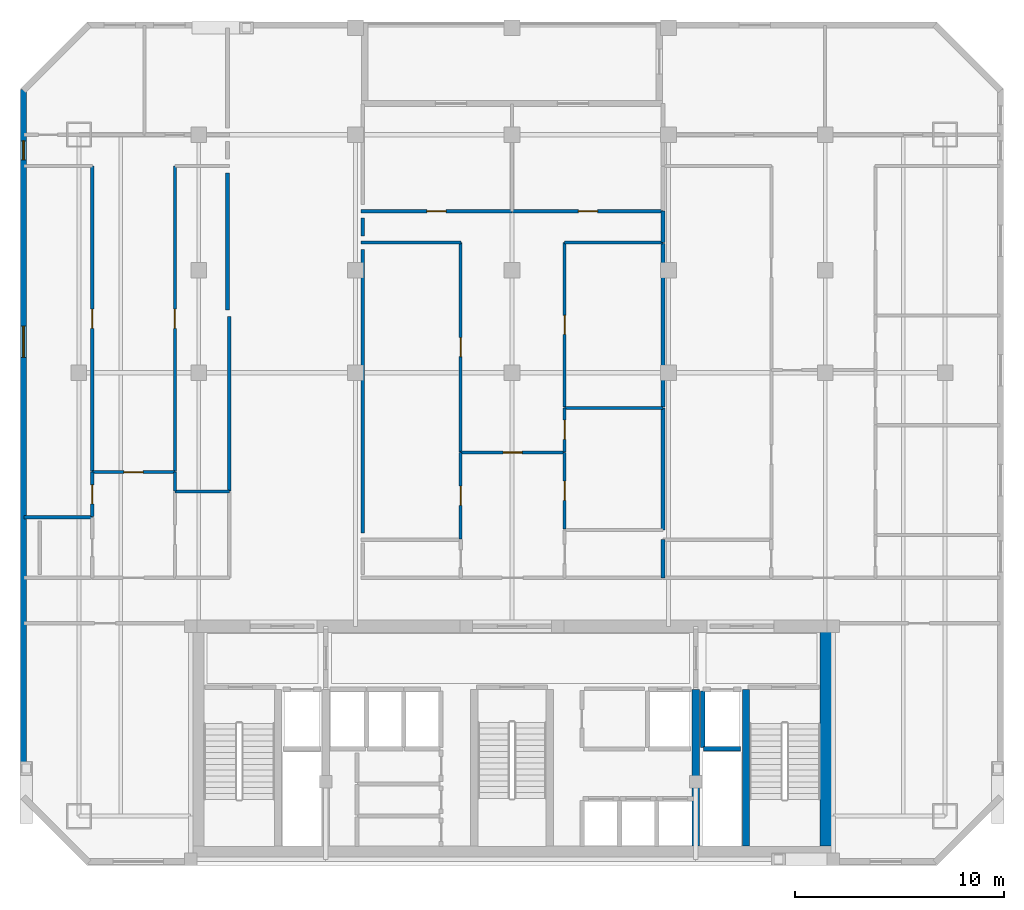
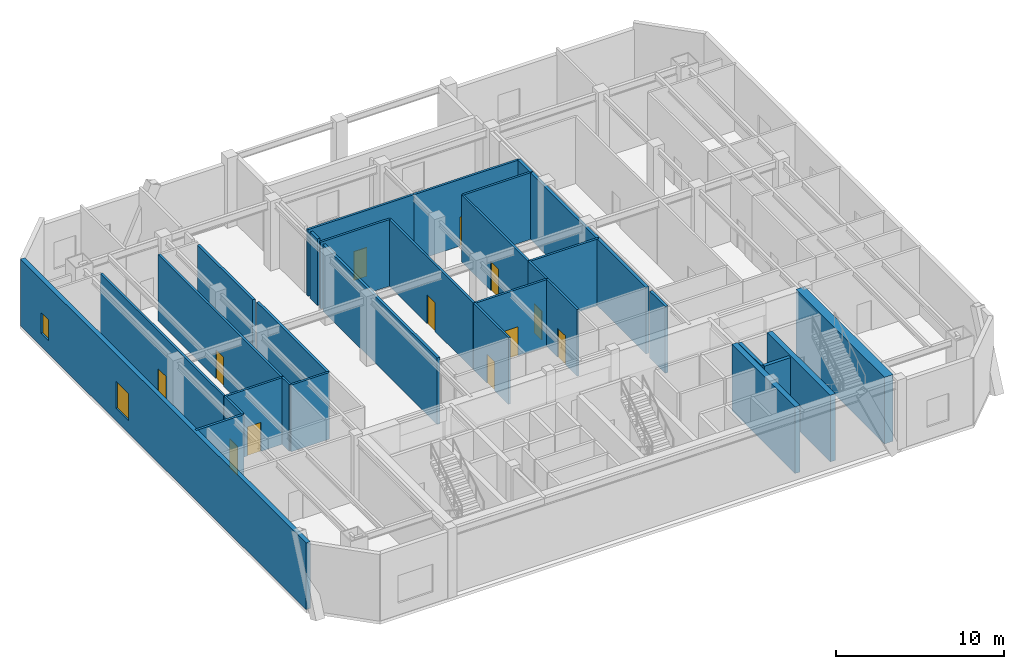
# One storey, part 4 of 8: 32 walls, 12 doors, 2 windows, 14 openings.
"""IFC4 building model written with IfcOpenShell, lengths in metres."""

from ifc_helpers import new_model, si_unit, direction, frame, frame_2d, origin, place, context, subcontext, project, spatial, rectangle, extrude, material, layer, layer_set, type_object, element, fill, save


model = new_model("IFC4")

# Units and contexts
model_context = context("Model", 3, precision=1e-05, world=origin(), true_north=direction((0.0, 1.0)))
body_context = subcontext(model_context, "Body", "Model", "MODEL_VIEW")
ifc_project = project(units=[si_unit("LENGTHUNIT", "METRE"), si_unit("AREAUNIT", "SQUARE_METRE"), si_unit("VOLUMEUNIT", "CUBIC_METRE"), si_unit("PLANEANGLEUNIT", "RADIAN"), si_unit("MASSUNIT", "GRAM", prefix="KILO")], contexts=[model_context])

# Site, building, storey
site_placement = place(None, origin())
site = spatial("IfcSite", under=ifc_project, at=site_placement, CompositionType="ELEMENT")
building_placement = place(site_placement, origin())
building = spatial("IfcBuilding", under=site, at=building_placement, Name="Ventersveld Concourse Tower", CompositionType="ELEMENT")
storey_placement = place(building_placement, frame((0.0, 0.0, 187.550048828125)))
storey = spatial("IfcBuildingStorey", under=building, at=storey_placement, Name="L46", CompositionType="ELEMENT", Elevation=187.550048828125)

# Walls
ifc_material_1 = material(Name="Concrete C50/60", Category="concrete")
ifc_layer_1 = layer(ifc_material_1, 0.35009765625)
ifc_layer_set_1 = layer_set([ifc_layer_1], Name="Concrete C50/60")
wall_type_1 = type_object("IfcWallType", Name="WL-CORE-350U", PredefinedType="SHEAR", material=ifc_layer_set_1)
for number, where, z_axis, x_axis, name in (
    (1, (37.550048828125, 0.919921875, 0.0), (0.0, 0.0, 1.0), (0.0, 1.0, 0.0), "L46 Core Internal Shear Web W-SVL-W"),
    (2, (39.9599609375, 0.919921875, 0.0), (0.0, 0.0, 1.0), (0.0, 1.0, 0.0), "L46 Core Internal Shear Web W-ST2-W"),
):
    element("IfcWall", number, at=place(storey_placement, frame(where, z_axis=z_axis, x_axis=x_axis)), inside=storey, type_object=wall_type_1, Name=name, PredefinedType="SHEAR", context=body_context, shape_type="SweptSolid", body=[
        extrude(rectangle(XDim=7.5, YDim=0.35009765625, at=frame_2d((3.75, 0.0))), origin(), (0.0, 0.0, 1.0), 4.829833984375),
    ])
ifc_layer_2 = layer(ifc_material_1, 0.60009765625)
ifc_layer_set_2 = layer_set([ifc_layer_2], Name="Concrete C50/60")
wall_type_2 = type_object("IfcWallType", Name="WL-CORE-600", PredefinedType="SHEAR", material=ifc_layer_set_2)
wall_1_placement = place(storey_placement, frame((43.800048828125, 0.919921875, 0.0), z_axis=(0.0, 0.0, 1.0), x_axis=(0.0, 1.0, 0.0)))
element("IfcWall", 3, at=wall_1_placement, inside=storey, type_object=wall_type_2, Name="L46 Rear Core East Shear Wall", PredefinedType="SHEAR", context=body_context, shape_type="SweptSolid", body=[
    extrude(rectangle(XDim=10.530029296875, YDim=0.60009765625, at=frame_2d((5.26513671875, 0.0))), origin(), (0.0, 0.0, 1.0), 4.829833984375),
])
ifc_material_2 = material(Name="Fire-rated autoclaved aerated masonry blockwork", Category="masonry")
ifc_layer_3 = layer(ifc_material_2, 0.179931640625)
ifc_layer_set_3 = layer_set([ifc_layer_3], Name="Fire-rated autoclaved aerated masonry blockwork")
wall_type_3 = type_object("IfcWallType", Name="WL-CORR-180", PredefinedType="PARTITIONING", material=ifc_layer_set_3)
wall_2_placement = place(storey_placement, frame((15.2099609375, 17.935546875, 0.0), z_axis=(0.0, 0.0, 1.0), x_axis=(0.0, 1.0, 0.0)))
element("IfcWall", 4, at=wall_2_placement, inside=storey, type_object=wall_type_3, Name="L46 Interior Partition SP-L46-COR-SP-L46-46NW-MEDR1", PredefinedType="PARTITIONING", context=body_context, shape_type="SweptSolid", body=[
    extrude(rectangle(XDim=8.359375, YDim=0.179931640625, at=frame_2d((4.1796875, 0.0))), origin(), (0.0, 0.0, 1.0), 4.829833984375),
])
wall_3_placement = place(storey_placement, frame((15.1201171875, 33.175048828125, 0.0), z_axis=(0.0, 0.0, 1.0), x_axis=(0.0, -1.0, 0.0)))
element("IfcWall", 5, at=wall_3_placement, inside=storey, type_object=wall_type_3, Name="L46 Room Enclosure Wall SP-L46-46NW-MEDR1", PredefinedType="PARTITIONING", context=body_context, shape_type="SweptSolid", body=[
    extrude(rectangle(XDim=6.565185546875, YDim=0.179931640625, at=frame_2d((3.28271484375, 0.0))), origin(), (0.0, 0.0, 1.0), 4.829833984375),
])
wall_4_placement = place(storey_placement, frame((21.60009765625, 30.155029296875, 0.0), z_axis=(0.0, 0.0, 1.0), x_axis=(0.0, 1.0, 0.0)))
element("IfcWall", 6, at=wall_4_placement, inside=storey, type_object=wall_type_3, Name="L46 Room Enclosure Wall SP-L46-46CM-LIV", PredefinedType="PARTITIONING", context=body_context, shape_type="SweptSolid", body=[
    extrude(rectangle(XDim=0.849853515625, YDim=0.179931640625, at=frame_2d((0.4248046875, 0.0))), origin(), (0.0, 0.0, 1.0), 4.829833984375),
])
wall_5_placement = place(storey_placement, frame((21.60009765625, 15.925048828125, 0.0), z_axis=(0.0, 0.0, 1.0), x_axis=(0.0, 1.0, 0.0)))
element("IfcWall", 7, at=wall_5_placement, inside=storey, type_object=wall_type_3, Name="L46 Room Enclosure Wall SP-L46-46CM-MEDL0", PredefinedType="PARTITIONING", context=body_context, shape_type="SweptSolid", body=[
    extrude(rectangle(XDim=13.579833984375, YDim=0.179931640625, at=frame_2d((6.7900390625, 0.0))), origin(), (0.0, 0.0, 1.0), 4.829833984375),
])
ifc_layer_4 = layer(ifc_material_2, 0.199951171875)
ifc_layer_set_4 = layer_set([ifc_layer_4], Name="Fire-rated autoclaved aerated masonry blockwork")
wall_type_4 = type_object("IfcWallType", Name="WL-DEMISE-200", PredefinedType="PARTITIONING", material=ifc_layer_set_4)
wall_6_placement = place(storey_placement, frame((35.989990234375, 13.764892578125, 0.0), z_axis=(0.0, 0.0, 1.0), x_axis=(0.0, 1.0, 0.0)))
element("IfcWall", 8, at=wall_6_placement, inside=storey, type_object=wall_type_4, Name="L46 Interior Partition SP-L46-46CE-BATH-SP-L46-46CM-KIT", PredefinedType="PARTITIONING", context=body_context, shape_type="SweptSolid", body=[
    extrude(rectangle(XDim=1.840087890625, YDim=0.199951171875, at=frame_2d((0.919921875, 0.0))), origin(), (0.0, 0.0, 1.0), 4.829833984375),
])
wall_7_placement = place(storey_placement, frame((35.989990234375, 29.824951171875, 0.0), z_axis=(0.0, 0.0, 1.0), x_axis=(0.0, 1.0, 0.0)))
element("IfcWall", 9, at=wall_7_placement, inside=storey, type_object=wall_type_4, Name="L46 Interior Partition SP-L46-46CE-OFFL0-SP-L46-46CM-LIV", PredefinedType="PARTITIONING", context=body_context, shape_type="SweptSolid", body=[
    extrude(rectangle(XDim=1.510009765625, YDim=0.199951171875, at=frame_2d((0.7548828125, 0.0))), origin(), (0.0, 0.0, 1.0), 4.829833984375),
])
wall_8_placement = place(storey_placement, frame((35.989990234375, 16.059326171875, 0.0), z_axis=(0.0, 0.0, 1.0), x_axis=(0.0, 1.0, 0.0)))
element("IfcWall", 10, at=wall_8_placement, inside=storey, type_object=wall_type_4, Name="L46 Interior Partition SP-L46-46CE-OFFL0-SP-L46-46CM-DENR", PredefinedType="PARTITIONING", context=body_context, shape_type="SweptSolid", body=[
    extrude(rectangle(XDim=5.85546875, YDim=0.199951171875, at=frame_2d((2.927734375, 0.0))), origin(), (0.0, 0.0, 1.0), 4.829833984375),
])
wall_9_placement = place(storey_placement, frame((35.989990234375, 21.94482421875, 0.0), z_axis=(0.0, 0.0, 1.0), x_axis=(0.0, 1.0, 0.0)))
element("IfcWall", 11, at=wall_9_placement, inside=storey, type_object=wall_type_4, Name="L46 Interior Partition SP-L46-46CE-OFFL0-SP-L46-46CM-DENS", PredefinedType="PARTITIONING", context=body_context, shape_type="SweptSolid", body=[
    extrude(rectangle(XDim=7.85009765625, YDim=0.199951171875, at=frame_2d((3.925048828125, 0.0))), origin(), (0.0, 0.0, 1.0), 4.829833984375),
])
ifc_layer_5 = layer(ifc_material_2, 0.219970703125)
ifc_layer_set_5 = layer_set([ifc_layer_5], Name="Fire-rated autoclaved aerated masonry blockwork")
wall_type_5 = type_object("IfcWallType", Name="WL-HOIST-220", PredefinedType="SOLIDWALL", material=ifc_layer_set_5)
wall_10_placement = place(storey_placement, frame((37.919921875, 5.590087890625, 0.0), z_axis=(0.0, 0.0, 1.0), x_axis=(1.0, 0.0, 0.0)))
element("IfcWall", 12, at=wall_10_placement, inside=storey, type_object=wall_type_5, Name="L46 Lift Hoistway Back Wall FFL-02", PredefinedType="SOLIDWALL", context=body_context, shape_type="SweptSolid", body=[
    extrude(rectangle(XDim=1.780029296875, YDim=0.219970703125, at=frame_2d((0.89013671875, 0.0))), origin(), (0.0, 0.0, 1.0), 4.829833984375),
])
wall_11_placement = place(storey_placement, frame((37.8798828125, 5.64990234375, 0.0), z_axis=(0.0, 0.0, 1.0), x_axis=(0.0, 1.0, 0.0)))
element("IfcWall", 13, at=wall_11_placement, inside=storey, type_object=wall_type_5, Name="L46 Lift Hoistway Side Wall FFL-02W", PredefinedType="SOLIDWALL", context=body_context, shape_type="SweptSolid", body=[
    extrude(rectangle(XDim=2.7001953125, YDim=0.219970703125, at=frame_2d((1.35009765625, 0.0))), origin(), (0.0, 0.0, 1.0), 4.829833984375),
])

# Wall, opening, door
ifc_material_3 = material(Name="Autoclaved aerated masonry blockwork", Category="masonry")
ifc_layer_6 = layer(ifc_material_3, 0.14990234375)
ifc_layer_set_6 = layer_set([ifc_layer_6], Name="Autoclaved aerated masonry blockwork")
wall_type_6 = type_object("IfcWallType", Name="WL-INT-150", PredefinedType="PARTITIONING", material=ifc_layer_set_6)
wall_12_placement = place(storey_placement, frame((8.635009765625, 18.83349609375, 0.0), z_axis=(0.0, 0.0, 1.0), x_axis=(1.0, 0.0, 0.0)))
wall_12 = element("IfcWall", 14, at=wall_12_placement, inside=storey, type_object=wall_type_6, Name="L46 Interior Partition SP-L46-46NW-FOY-SP-L46-46NW-LIV", PredefinedType="PARTITIONING", context=body_context, shape_type="SweptSolid", body=[
    extrude(rectangle(XDim=3.969970703125, YDim=0.14990234375, at=frame_2d((1.98486328125, 0.0))), origin(), (0.0, 0.0, 1.0), 4.829833984375),
])
opening_1_placement = place(wall_12_placement, frame((1.52490234375, 0.0, 0.0)))
opening_1 = element("IfcOpeningElement", 15, at=opening_1_placement, cuts=wall_12, Name="Opening ID1", PredefinedType="OPENING", context=body_context, shape_type="SweptSolid", body=[
    extrude(rectangle(XDim=0.919921875, YDim=2.10009765625, at=frame_2d((0.4599609375, 1.050048828125))), frame((0.0, 0.0849609375, 0.0), z_axis=(0.0, -1.0, 0.0), x_axis=(1.0, 0.0, 0.0)), (0.0, 0.0, 1.0), 0.169921875),
])
ifc_material_4 = material(Name="Solid-core hardwood veneer timber", Category="wood")
door_type = type_object("IfcDoorType", Name="DR-ROOM-092", OperationType="NOTDEFINED", PredefinedType="DOOR", material=ifc_material_4)
door_1_placement = place(opening_1_placement, origin())
door_1 = element("IfcDoor", 16, at=door_1_placement, inside=storey, type_object=door_type, Name="L46 Interior Door SP-L46-46NW-FOY to SP-L46-46NW-LIV (D-L46-2258)", OperationType="SINGLE_SWING_RIGHT", OverallHeight=2.10009765625, OverallWidth=0.919921875, PredefinedType="DOOR", context=body_context, shape_type="SweptSolid", body=[
    extrude(rectangle(XDim=0.919921875, YDim=2.10009765625, at=frame_2d((0.4599609375, 1.050048828125))), frame((0.0, 0.02490234375, 0.0), z_axis=(0.0, -1.0, 0.0), x_axis=(1.0, 0.0, 0.0)), (0.0, 0.0, 1.0), 0.050048828125),
])
fill(opening_1, door_1)

wall_13_placement = place(storey_placement, frame((8.639892578125, 16.700927734375, 0.0), z_axis=(0.0, 0.0, 1.0), x_axis=(0.0, 1.0, 0.0)))
wall_13 = element("IfcWall", 17, at=wall_13_placement, inside=storey, type_object=wall_type_6, Name="L46 Interior Partition SP-L46-46NW-FOY-SP-L46-46NW-OFFL0", PredefinedType="PARTITIONING", context=body_context, shape_type="SweptSolid", body=[
    extrude(rectangle(XDim=2.137451171875, YDim=0.14990234375, at=frame_2d((1.06884765625, 0.0))), origin(), (0.0, 0.0, 1.0), 4.829833984375),
])
opening_2_placement = place(wall_13_placement, frame((0.608642578125, 0.0, 0.0)))
opening_2 = element("IfcOpeningElement", 18, at=opening_2_placement, cuts=wall_13, Name="Opening ID1", PredefinedType="OPENING", context=body_context, shape_type="SweptSolid", body=[
    extrude(rectangle(XDim=0.919921875, YDim=2.10009765625, at=frame_2d((0.4599609375, 1.050048828125))), frame((0.0, 0.0849609375, 0.0), z_axis=(0.0, -1.0, 0.0), x_axis=(1.0, 0.0, 0.0)), (0.0, 0.0, 1.0), 0.169921875),
])
door_2_placement = place(opening_2_placement, origin())
door_2 = element("IfcDoor", 19, at=door_2_placement, inside=storey, type_object=door_type, Name="L46 Interior Door SP-L46-46NW-FOY to SP-L46-46NW-OFFL0 (D-L46-2260)", OperationType="SINGLE_SWING_RIGHT", OverallHeight=2.10009765625, OverallWidth=0.919921875, PredefinedType="DOOR", context=body_context, shape_type="SweptSolid", body=[
    extrude(rectangle(XDim=0.919921875, YDim=2.10009765625, at=frame_2d((0.4599609375, 1.050048828125))), frame((0.0, 0.02490234375, 0.0), z_axis=(0.0, -1.0, 0.0), x_axis=(1.0, 0.0, 0.0)), (0.0, 0.0, 1.0), 0.050048828125),
])
fill(opening_2, door_2)

# Wall
wall_14_placement = place(storey_placement, frame((12.60009765625, 17.935546875, 0.0), z_axis=(0.0, 0.0, 1.0), x_axis=(0.0, 1.0, 0.0)))
element("IfcWall", 20, at=wall_14_placement, inside=storey, type_object=wall_type_6, Name="L46 Interior Partition SP-L46-46NW-FOY-SP-L46-46NW-MEDR1", PredefinedType="PARTITIONING", context=body_context, shape_type="SweptSolid", body=[
    extrude(rectangle(XDim=0.90283203125, YDim=0.14990234375, at=frame_2d((0.451416015625, 0.0))), origin(), (0.0, 0.0, 1.0), 4.829833984375),
])

# Wall, opening, door
wall_15_placement = place(storey_placement, frame((8.639892578125, 18.868408203125, 0.0), z_axis=(0.0, 0.0, 1.0), x_axis=(0.0, 1.0, 0.0)))
wall_15 = element("IfcWall", 21, at=wall_15_placement, inside=storey, type_object=wall_type_6, Name="L46 Interior Partition SP-L46-46NW-LIV-SP-L46-46NW-OFFL0", PredefinedType="PARTITIONING", context=body_context, shape_type="SweptSolid", body=[
    extrude(rectangle(XDim=14.636474609375, YDim=0.14990234375, at=frame_2d((7.318359375, 0.0))), origin(), (0.0, 0.0, 1.0), 4.829833984375),
])
opening_3_placement = place(wall_15_placement, frame((6.8583984375, 0.0, 0.0)))
opening_3 = element("IfcOpeningElement", 22, at=opening_3_placement, cuts=wall_15, Name="Opening ID1", PredefinedType="OPENING", context=body_context, shape_type="SweptSolid", body=[
    extrude(rectangle(XDim=0.919921875, YDim=2.10009765625, at=frame_2d((0.4599609375, 1.050048828125))), frame((0.0, 0.0849609375, 0.0), z_axis=(0.0, -1.0, 0.0), x_axis=(1.0, 0.0, 0.0)), (0.0, 0.0, 1.0), 0.169921875),
])
door_3_placement = place(opening_3_placement, origin())
door_3 = element("IfcDoor", 23, at=door_3_placement, inside=storey, type_object=door_type, Name="L46 Interior Door SP-L46-46NW-LIV to SP-L46-46NW-OFFL0 (D-L46-2262)", OperationType="SINGLE_SWING_RIGHT", OverallHeight=2.10009765625, OverallWidth=0.919921875, PredefinedType="DOOR", context=body_context, shape_type="SweptSolid", body=[
    extrude(rectangle(XDim=0.919921875, YDim=2.10009765625, at=frame_2d((0.4599609375, 1.050048828125))), frame((0.0, 0.02490234375, 0.0), z_axis=(0.0, -1.0, 0.0), x_axis=(1.0, 0.0, 0.0)), (0.0, 0.0, 1.0), 0.050048828125),
])
fill(opening_3, door_3)

wall_16_placement = place(storey_placement, frame((12.60009765625, 18.868408203125, 0.0), z_axis=(0.0, 0.0, 1.0), x_axis=(0.0, 1.0, 0.0)))
wall_16 = element("IfcWall", 24, at=wall_16_placement, inside=storey, type_object=wall_type_6, Name="L46 Interior Partition SP-L46-46NW-LIV-SP-L46-46NW-MEDR1", PredefinedType="PARTITIONING", context=body_context, shape_type="SweptSolid", body=[
    extrude(rectangle(XDim=14.636474609375, YDim=0.14990234375, at=frame_2d((7.318359375, 0.0))), origin(), (0.0, 0.0, 1.0), 4.829833984375),
])
opening_4_placement = place(wall_16_placement, frame((6.8583984375, 0.0, 0.0)))
opening_4 = element("IfcOpeningElement", 25, at=opening_4_placement, cuts=wall_16, Name="Opening ID1", PredefinedType="OPENING", context=body_context, shape_type="SweptSolid", body=[
    extrude(rectangle(XDim=0.919921875, YDim=2.10009765625, at=frame_2d((0.4599609375, 1.050048828125))), frame((0.0, 0.0849609375, 0.0), z_axis=(0.0, -1.0, 0.0), x_axis=(1.0, 0.0, 0.0)), (0.0, 0.0, 1.0), 0.169921875),
])
door_4_placement = place(opening_4_placement, origin())
door_4 = element("IfcDoor", 26, at=door_4_placement, inside=storey, type_object=door_type, Name="L46 Interior Door SP-L46-46NW-LIV to SP-L46-46NW-MEDR1 (D-L46-2263)", OperationType="SINGLE_SWING_LEFT", OverallHeight=2.10009765625, OverallWidth=0.919921875, PredefinedType="DOOR", context=body_context, shape_type="SweptSolid", body=[
    extrude(rectangle(XDim=0.919921875, YDim=2.10009765625, at=frame_2d((0.4599609375, 1.050048828125))), frame((0.0, 0.02490234375, 0.0), z_axis=(0.0, -1.0, 0.0), x_axis=(1.0, 0.0, 0.0)), (0.0, 0.0, 1.0), 0.050048828125),
])
fill(opening_4, door_4)

# Wall
wall_17_placement = place(storey_placement, frame((12.594970703125, 17.900634765625, 0.0), z_axis=(0.0, 0.0, 1.0), x_axis=(1.0, 0.0, 0.0)))
element("IfcWall", 27, at=wall_17_placement, inside=storey, type_object=wall_type_6, Name="L46 Interior Partition SP-L46-46NW-KIT-SP-L46-46NW-MEDR1", PredefinedType="PARTITIONING", context=body_context, shape_type="SweptSolid", body=[
    extrude(rectangle(XDim=2.6201171875, YDim=0.14990234375, at=frame_2d((1.31005859375, 0.0))), origin(), (0.0, 0.0, 1.0), 4.829833984375),
])

# Wall, opening, door
wall_18_placement = place(storey_placement, frame((26.28466796875, 19.77587890625, 0.0), z_axis=(0.0, 0.0, 1.0), x_axis=(1.0, 0.0, 0.0)))
wall_18 = element("IfcWall", 28, at=wall_18_placement, inside=storey, type_object=wall_type_6, Name="L46 Interior Partition SP-L46-46CM-FOY-SP-L46-46CM-LIV", PredefinedType="PARTITIONING", context=body_context, shape_type="SweptSolid", body=[
    extrude(rectangle(XDim=4.989990234375, YDim=0.14990234375, at=frame_2d((2.4951171875, 0.0))), origin(), (0.0, 0.0, 1.0), 4.829833984375),
])
opening_5_placement = place(wall_18_placement, frame((2.034912109375, 0.0, 0.0)))
opening_5 = element("IfcOpeningElement", 29, at=opening_5_placement, cuts=wall_18, Name="Opening ID1", PredefinedType="OPENING", context=body_context, shape_type="SweptSolid", body=[
    extrude(rectangle(XDim=0.919921875, YDim=2.10009765625, at=frame_2d((0.4599609375, 1.050048828125))), frame((0.0, 0.0849609375, 0.0), z_axis=(0.0, -1.0, 0.0), x_axis=(1.0, 0.0, 0.0)), (0.0, 0.0, 1.0), 0.169921875),
])
door_5_placement = place(opening_5_placement, origin())
door_5 = element("IfcDoor", 30, at=door_5_placement, inside=storey, type_object=door_type, Name="L46 Interior Door SP-L46-46CM-FOY to SP-L46-46CM-LIV (D-L46-2277)", OperationType="SINGLE_SWING_LEFT", OverallHeight=2.10009765625, OverallWidth=0.919921875, PredefinedType="DOOR", context=body_context, shape_type="SweptSolid", body=[
    extrude(rectangle(XDim=0.919921875, YDim=2.10009765625, at=frame_2d((0.4599609375, 1.050048828125))), frame((0.0, 0.02490234375, 0.0), z_axis=(0.0, -1.0, 0.0), x_axis=(1.0, 0.0, 0.0)), (0.0, 0.0, 1.0), 0.050048828125),
])
fill(opening_5, door_5)

wall_19_placement = place(storey_placement, frame((26.289794921875, 15.635009765625, 0.0), z_axis=(0.0, 0.0, 1.0), x_axis=(0.0, 1.0, 0.0)))
wall_19 = element("IfcWall", 31, at=wall_19_placement, inside=storey, type_object=wall_type_6, Name="L46 Interior Partition SP-L46-46CM-FOY-SP-L46-46CM-MEDL0", PredefinedType="PARTITIONING", context=body_context, shape_type="SweptSolid", body=[
    extrude(rectangle(XDim=4.145751953125, YDim=0.14990234375, at=frame_2d((2.07275390625, 0.0))), origin(), (0.0, 0.0, 1.0), 4.829833984375),
])
opening_6_placement = place(wall_19_placement, frame((1.61279296875, 0.0, 0.0)))
opening_6 = element("IfcOpeningElement", 32, at=opening_6_placement, cuts=wall_19, Name="Opening ID1", PredefinedType="OPENING", context=body_context, shape_type="SweptSolid", body=[
    extrude(rectangle(XDim=0.919921875, YDim=2.10009765625, at=frame_2d((0.4599609375, 1.050048828125))), frame((0.0, 0.0849609375, 0.0), z_axis=(0.0, -1.0, 0.0), x_axis=(1.0, 0.0, 0.0)), (0.0, 0.0, 1.0), 0.169921875),
])
door_6_placement = place(opening_6_placement, origin())
door_6 = element("IfcDoor", 33, at=door_6_placement, inside=storey, type_object=door_type, Name="L46 Interior Door SP-L46-46CM-FOY to SP-L46-46CM-MEDL0 (D-L46-2279)", OperationType="SINGLE_SWING_LEFT", OverallHeight=2.10009765625, OverallWidth=0.919921875, PredefinedType="DOOR", context=body_context, shape_type="SweptSolid", body=[
    extrude(rectangle(XDim=0.919921875, YDim=2.10009765625, at=frame_2d((0.4599609375, 1.050048828125))), frame((0.0, 0.02490234375, 0.0), z_axis=(0.0, -1.0, 0.0), x_axis=(1.0, 0.0, 0.0)), (0.0, 0.0, 1.0), 0.050048828125),
])
fill(opening_6, door_6)

wall_20_placement = place(storey_placement, frame((31.269775390625, 16.099365234375, 0.0), z_axis=(0.0, 0.0, 1.0), x_axis=(0.0, 1.0, 0.0)))
wall_20 = element("IfcWall", 34, at=wall_20_placement, inside=storey, type_object=wall_type_6, Name="L46 Interior Partition SP-L46-46CM-FOY-SP-L46-46CM-DENR", PredefinedType="PARTITIONING", context=body_context, shape_type="SweptSolid", body=[
    extrude(rectangle(XDim=3.681396484375, YDim=0.14990234375, at=frame_2d((1.8408203125, 0.0))), origin(), (0.0, 0.0, 1.0), 4.829833984375),
])
opening_7_placement = place(wall_20_placement, frame((1.380615234375, 0.0, 0.0)))
opening_7 = element("IfcOpeningElement", 35, at=opening_7_placement, cuts=wall_20, Name="Opening ID1", PredefinedType="OPENING", context=body_context, shape_type="SweptSolid", body=[
    extrude(rectangle(XDim=0.919921875, YDim=2.10009765625, at=frame_2d((0.4599609375, 1.050048828125))), frame((0.0, 0.0849609375, 0.0), z_axis=(0.0, -1.0, 0.0), x_axis=(1.0, 0.0, 0.0)), (0.0, 0.0, 1.0), 0.169921875),
])
door_7_placement = place(opening_7_placement, origin())
door_7 = element("IfcDoor", 36, at=door_7_placement, inside=storey, type_object=door_type, Name="L46 Interior Door SP-L46-46CM-FOY to SP-L46-46CM-DENR (D-L46-2281)", OperationType="SINGLE_SWING_LEFT", OverallHeight=2.10009765625, OverallWidth=0.919921875, PredefinedType="DOOR", context=body_context, shape_type="SweptSolid", body=[
    extrude(rectangle(XDim=0.919921875, YDim=2.10009765625, at=frame_2d((0.4599609375, 1.050048828125))), frame((0.0, 0.02490234375, 0.0), z_axis=(0.0, -1.0, 0.0), x_axis=(1.0, 0.0, 0.0)), (0.0, 0.0, 1.0), 0.050048828125),
])
fill(opening_7, door_7)

wall_21_placement = place(storey_placement, frame((26.289794921875, 19.810791015625, 0.0), z_axis=(0.0, 0.0, 1.0), x_axis=(0.0, 1.0, 0.0)))
wall_21 = element("IfcWall", 37, at=wall_21_placement, inside=storey, type_object=wall_type_6, Name="L46 Interior Partition SP-L46-46CM-LIV-SP-L46-46CM-MEDL0", PredefinedType="PARTITIONING", context=body_context, shape_type="SweptSolid", body=[
    extrude(rectangle(XDim=10.024169921875, YDim=0.14990234375, at=frame_2d((5.01220703125, 0.0))), origin(), (0.0, 0.0, 1.0), 4.829833984375),
])
opening_8_placement = place(wall_21_placement, frame((4.552001953125, 0.0, 0.0)))
opening_8 = element("IfcOpeningElement", 38, at=opening_8_placement, cuts=wall_21, Name="Opening ID1", PredefinedType="OPENING", context=body_context, shape_type="SweptSolid", body=[
    extrude(rectangle(XDim=0.919921875, YDim=2.10009765625, at=frame_2d((0.4599609375, 1.050048828125))), frame((0.0, 0.0849609375, 0.0), z_axis=(0.0, -1.0, 0.0), x_axis=(1.0, 0.0, 0.0)), (0.0, 0.0, 1.0), 0.169921875),
])
door_8_placement = place(opening_8_placement, origin())
door_8 = element("IfcDoor", 39, at=door_8_placement, inside=storey, type_object=door_type, Name="L46 Interior Door SP-L46-46CM-LIV to SP-L46-46CM-MEDL0 (D-L46-2282)", OperationType="SINGLE_SWING_RIGHT", OverallHeight=2.10009765625, OverallWidth=0.919921875, PredefinedType="DOOR", context=body_context, shape_type="SweptSolid", body=[
    extrude(rectangle(XDim=0.919921875, YDim=2.10009765625, at=frame_2d((0.4599609375, 1.050048828125))), frame((0.0, 0.02490234375, 0.0), z_axis=(0.0, -1.0, 0.0), x_axis=(1.0, 0.0, 0.0)), (0.0, 0.0, 1.0), 0.050048828125),
])
fill(opening_8, door_8)

# Wall
wall_22_placement = place(storey_placement, frame((21.5048828125, 29.830078125, 0.0), z_axis=(0.0, 0.0, 1.0), x_axis=(1.0, 0.0, 0.0)))
element("IfcWall", 40, at=wall_22_placement, inside=storey, type_object=wall_type_6, Name="L46 Interior Partition SP-L46-46CM-LIV-SP-L46-46CM-MEDL0", PredefinedType="PARTITIONING", context=body_context, shape_type="SweptSolid", body=[
    extrude(rectangle(XDim=4.789794921875, YDim=0.14990234375, at=frame_2d((2.39501953125, 0.0))), origin(), (0.0, 0.0, 1.0), 4.829833984375),
])

# Wall, opening, door
wall_23_placement = place(storey_placement, frame((31.269775390625, 19.810791015625, 0.0), z_axis=(0.0, 0.0, 1.0), x_axis=(0.0, 1.0, 0.0)))
wall_23 = element("IfcWall", 41, at=wall_23_placement, inside=storey, type_object=wall_type_6, Name="L46 Interior Partition SP-L46-46CM-LIV-SP-L46-46CM-DENR", PredefinedType="PARTITIONING", context=body_context, shape_type="SweptSolid", body=[
    extrude(rectangle(XDim=2.10400390625, YDim=0.14990234375, at=frame_2d((1.052001953125, 0.0))), origin(), (0.0, 0.0, 1.0), 4.829833984375),
])
opening_9_placement = place(wall_23_placement, frame((0.592041015625, 0.0, 0.0)))
opening_9 = element("IfcOpeningElement", 42, at=opening_9_placement, cuts=wall_23, Name="Opening ID1", PredefinedType="OPENING", context=body_context, shape_type="SweptSolid", body=[
    extrude(rectangle(XDim=0.919921875, YDim=2.10009765625, at=frame_2d((0.4599609375, 1.050048828125))), frame((0.0, 0.0849609375, 0.0), z_axis=(0.0, -1.0, 0.0), x_axis=(1.0, 0.0, 0.0)), (0.0, 0.0, 1.0), 0.169921875),
])
door_9_placement = place(opening_9_placement, origin())
door_9 = element("IfcDoor", 43, at=door_9_placement, inside=storey, type_object=door_type, Name="L46 Interior Door SP-L46-46CM-LIV to SP-L46-46CM-DENR (D-L46-2283)", OperationType="SINGLE_SWING_LEFT", OverallHeight=2.10009765625, OverallWidth=0.919921875, PredefinedType="DOOR", context=body_context, shape_type="SweptSolid", body=[
    extrude(rectangle(XDim=0.919921875, YDim=2.10009765625, at=frame_2d((0.4599609375, 1.050048828125))), frame((0.0, 0.02490234375, 0.0), z_axis=(0.0, -1.0, 0.0), x_axis=(1.0, 0.0, 0.0)), (0.0, 0.0, 1.0), 0.050048828125),
])
fill(opening_9, door_9)

wall_24_placement = place(storey_placement, frame((31.269775390625, 21.94482421875, 0.0), z_axis=(0.0, 0.0, 1.0), x_axis=(0.0, 1.0, 0.0)))
wall_24 = element("IfcWall", 44, at=wall_24_placement, inside=storey, type_object=wall_type_6, Name="L46 Interior Partition SP-L46-46CM-LIV-SP-L46-46CM-DENS", PredefinedType="PARTITIONING", context=body_context, shape_type="SweptSolid", body=[
    extrude(rectangle(XDim=7.89013671875, YDim=0.14990234375, at=frame_2d((3.945068359375, 0.0))), origin(), (0.0, 0.0, 1.0), 4.829833984375),
])
opening_10_placement = place(wall_24_placement, frame((3.485107421875, 0.0, 0.0)))
opening_10 = element("IfcOpeningElement", 45, at=opening_10_placement, cuts=wall_24, Name="Opening ID1", PredefinedType="OPENING", context=body_context, shape_type="SweptSolid", body=[
    extrude(rectangle(XDim=0.919921875, YDim=2.10009765625, at=frame_2d((0.4599609375, 1.050048828125))), frame((0.0, 0.0849609375, 0.0), z_axis=(0.0, -1.0, 0.0), x_axis=(1.0, 0.0, 0.0)), (0.0, 0.0, 1.0), 0.169921875),
])
door_10_placement = place(opening_10_placement, origin())
door_10 = element("IfcDoor", 46, at=door_10_placement, inside=storey, type_object=door_type, Name="L46 Interior Door SP-L46-46CM-LIV to SP-L46-46CM-DENS (D-L46-2284)", OperationType="SINGLE_SWING_RIGHT", OverallHeight=2.10009765625, OverallWidth=0.919921875, PredefinedType="DOOR", context=body_context, shape_type="SweptSolid", body=[
    extrude(rectangle(XDim=0.919921875, YDim=2.10009765625, at=frame_2d((0.4599609375, 1.050048828125))), frame((0.0, 0.02490234375, 0.0), z_axis=(0.0, -1.0, 0.0), x_axis=(1.0, 0.0, 0.0)), (0.0, 0.0, 1.0), 0.050048828125),
])
fill(opening_10, door_10)

# Wall
wall_25_placement = place(storey_placement, frame((31.2646484375, 29.830078125, 0.0), z_axis=(0.0, 0.0, 1.0), x_axis=(1.0, 0.0, 0.0)))
element("IfcWall", 47, at=wall_25_placement, inside=storey, type_object=wall_type_6, Name="L46 Interior Partition SP-L46-46CM-LIV-SP-L46-46CM-DENS", PredefinedType="PARTITIONING", context=body_context, shape_type="SweptSolid", body=[
    extrude(rectangle(XDim=4.73046875, YDim=0.14990234375, at=frame_2d((2.365234375, 0.0))), origin(), (0.0, 0.0, 1.0), 4.829833984375),
])

# Wall, opening, door
wall_26_placement = place(storey_placement, frame((21.5048828125, 31.330078125, 0.0), z_axis=(0.0, 0.0, 1.0), x_axis=(1.0, 0.0, 0.0)))
wall_26 = element("IfcWall", 48, at=wall_26_placement, inside=storey, type_object=wall_type_6, Name="L46 Interior Partition SP-L46-46CM-LIV-SP-L46-46CM-BR1", PredefinedType="PARTITIONING", context=body_context, shape_type="SweptSolid", body=[
    extrude(rectangle(XDim=7.25, YDim=0.14990234375, at=frame_2d((3.625, 0.0))), origin(), (0.0, 0.0, 1.0), 4.829833984375),
])
opening_11_placement = place(wall_26_placement, frame((3.1650390625, 0.0, 0.0)))
opening_11 = element("IfcOpeningElement", 49, at=opening_11_placement, cuts=wall_26, Name="Opening ID1", PredefinedType="OPENING", context=body_context, shape_type="SweptSolid", body=[
    extrude(rectangle(XDim=0.919921875, YDim=2.10009765625, at=frame_2d((0.4599609375, 1.050048828125))), frame((0.0, 0.0849609375, 0.0), z_axis=(0.0, -1.0, 0.0), x_axis=(1.0, 0.0, 0.0)), (0.0, 0.0, 1.0), 0.169921875),
])
door_11_placement = place(opening_11_placement, origin())
door_11 = element("IfcDoor", 50, at=door_11_placement, inside=storey, type_object=door_type, Name="L46 Interior Door SP-L46-46CM-LIV to SP-L46-46CM-BR1 (D-L46-2285)", OperationType="SINGLE_SWING_LEFT", OverallHeight=2.10009765625, OverallWidth=0.919921875, PredefinedType="DOOR", context=body_context, shape_type="SweptSolid", body=[
    extrude(rectangle(XDim=0.919921875, YDim=2.10009765625, at=frame_2d((0.4599609375, 1.050048828125))), frame((0.0, 0.02490234375, 0.0), z_axis=(0.0, -1.0, 0.0), x_axis=(1.0, 0.0, 0.0)), (0.0, 0.0, 1.0), 0.050048828125),
])
fill(opening_11, door_11)

wall_27_placement = place(storey_placement, frame((28.784912109375, 31.330078125, 0.0), z_axis=(0.0, 0.0, 1.0), x_axis=(1.0, 0.0, 0.0)))
wall_27 = element("IfcWall", 51, at=wall_27_placement, inside=storey, type_object=wall_type_6, Name="L46 Interior Partition SP-L46-46CM-LIV-SP-L46-46CM-BR2", PredefinedType="PARTITIONING", context=body_context, shape_type="SweptSolid", body=[
    extrude(rectangle(XDim=7.210205078125, YDim=0.14990234375, at=frame_2d((3.60498046875, 0.0))), origin(), (0.0, 0.0, 1.0), 4.829833984375),
])
opening_12_placement = place(wall_27_placement, frame((3.14501953125, 0.0, 0.0)))
opening_12 = element("IfcOpeningElement", 52, at=opening_12_placement, cuts=wall_27, Name="Opening ID1", PredefinedType="OPENING", context=body_context, shape_type="SweptSolid", body=[
    extrude(rectangle(XDim=0.919921875, YDim=2.10009765625, at=frame_2d((0.4599609375, 1.050048828125))), frame((0.0, 0.0849609375, 0.0), z_axis=(0.0, -1.0, 0.0), x_axis=(1.0, 0.0, 0.0)), (0.0, 0.0, 1.0), 0.169921875),
])
door_12_placement = place(opening_12_placement, origin())
door_12 = element("IfcDoor", 53, at=door_12_placement, inside=storey, type_object=door_type, Name="L46 Interior Door SP-L46-46CM-LIV to SP-L46-46CM-BR2 (D-L46-2286)", OperationType="SINGLE_SWING_RIGHT", OverallHeight=2.10009765625, OverallWidth=0.919921875, PredefinedType="DOOR", context=body_context, shape_type="SweptSolid", body=[
    extrude(rectangle(XDim=0.919921875, YDim=2.10009765625, at=frame_2d((0.4599609375, 1.050048828125))), frame((0.0, 0.02490234375, 0.0), z_axis=(0.0, -1.0, 0.0), x_axis=(1.0, 0.0, 0.0)), (0.0, 0.0, 1.0), 0.050048828125),
])
fill(opening_12, door_12)

# Wall
wall_28_placement = place(storey_placement, frame((31.2646484375, 21.909912109375, 0.0), z_axis=(0.0, 0.0, 1.0), x_axis=(1.0, 0.0, 0.0)))
element("IfcWall", 54, at=wall_28_placement, inside=storey, type_object=wall_type_6, Name="L46 Interior Partition SP-L46-46CM-DENR-SP-L46-46CM-DENS", PredefinedType="PARTITIONING", context=body_context, shape_type="SweptSolid", body=[
    extrude(rectangle(XDim=4.73046875, YDim=0.14990234375, at=frame_2d((2.365234375, 0.0))), origin(), (0.0, 0.0, 1.0), 4.829833984375),
])

# Wall, openings, windows
ifc_material_5 = material(Name="Precast concrete C45/55", Category="concrete")
ifc_layer_7 = layer(ifc_material_5, 0.300048828125)
ifc_layer_set_7 = layer_set([ifc_layer_7], Name="Precast concrete C45/55")
wall_type_7 = type_object("IfcWallType", Name="WL-PREC-300", PredefinedType="SOLIDWALL", material=ifc_layer_set_7)
wall_29_placement = place(storey_placement, frame((5.35009765625, 37.159912109375, 0.0), z_axis=(0.0, 0.0, 1.0), x_axis=(0.0, -1.0, 0.0)))
wall_29 = element("IfcWall", 55, at=wall_29_placement, inside=storey, type_object=wall_type_7, Name="L46 Highveld Precast Facade Wall E11", PredefinedType="SOLIDWALL", context=body_context, shape_type="SweptSolid", body=[
    extrude(rectangle(XDim=33.919921875, YDim=0.300048828125, at=frame_2d((16.9599609375, 0.0))), origin(), (0.0, 0.0, 1.0), 4.829833984375),
])
opening_13_placement = place(wall_29_placement, frame((2.4599609375, 0.0, 0.949951171875)))
opening_13 = element("IfcOpeningElement", 56, at=opening_13_placement, cuts=wall_29, Name="Opening W4", PredefinedType="OPENING", context=body_context, shape_type="SweptSolid", body=[
    extrude(rectangle(XDim=0.89990234375, YDim=1.5, at=frame_2d((0.449951171875, 0.75))), frame((0.0, 0.16015625, 0.0), z_axis=(0.0, -1.0, 0.0), x_axis=(1.0, 0.0, 0.0)), (0.0, 0.0, 1.0), 0.320068359375),
])
opening_14_placement = place(wall_29_placement, frame((11.326904296875, 0.0, 0.89990234375)))
opening_14 = element("IfcOpeningElement", 57, at=opening_14_placement, cuts=wall_29, Name="Opening W1", PredefinedType="OPENING", context=body_context, shape_type="SweptSolid", body=[
    extrude(rectangle(XDim=1.5, YDim=1.949951171875, at=frame_2d((0.75, 0.97509765625))), frame((0.0, 0.16015625, 0.0), z_axis=(0.0, -1.0, 0.0), x_axis=(1.0, 0.0, 0.0)), (0.0, 0.0, 1.0), 0.320068359375),
])
ifc_material_6 = material(Name="Tempered acoustic Low-E IGU", Category="glass")
window_type_1 = type_object("IfcWindowType", Name="WIN-090x150", PartitioningType="SINGLE_PANEL", PredefinedType="WINDOW", material=ifc_material_6)
window_1_placement = place(opening_13_placement, origin())
window_1 = element("IfcWindow", 58, at=window_1_placement, inside=storey, type_object=window_type_1, Name="L46 Punched Low-E Window W-0638", OverallHeight=1.5, OverallWidth=0.89990234375, PartitioningType="SINGLE_PANEL", PredefinedType="WINDOW", context=body_context, shape_type="SweptSolid", body=[
    extrude(rectangle(XDim=0.89990234375, YDim=1.5, at=frame_2d((0.449951171875, 0.75))), frame((0.0, 0.030029296875, 0.0), z_axis=(0.0, -1.0, 0.0), x_axis=(1.0, 0.0, 0.0)), (0.0, 0.0, 1.0), 0.06005859375),
])
fill(opening_13, window_1)
window_type_2 = type_object("IfcWindowType", Name="WIN-150x210", PartitioningType="SINGLE_PANEL", PredefinedType="WINDOW", material=ifc_material_6)
window_2_placement = place(opening_14_placement, origin())
window_2 = element("IfcWindow", 59, at=window_2_placement, inside=storey, type_object=window_type_2, Name="L46 Punched Low-E Window W-0639", OverallHeight=1.949951171875, OverallWidth=1.5, PartitioningType="SINGLE_PANEL", PredefinedType="WINDOW", context=body_context, shape_type="SweptSolid", body=[
    extrude(rectangle(XDim=1.5, YDim=1.949951171875, at=frame_2d((0.75, 0.97509765625))), frame((0.0, 0.030029296875, 0.0), z_axis=(0.0, -1.0, 0.0), x_axis=(1.0, 0.0, 0.0)), (0.0, 0.0, 1.0), 0.06005859375),
])
fill(opening_14, window_2)

# Wall
ifc_layer_8 = layer(ifc_material_3, 0.1650390625)
ifc_layer_set_8 = layer_set([ifc_layer_8], Name="Autoclaved aerated masonry blockwork")
wall_type_8 = type_object("IfcWallType", Name="WL-WET-165", PredefinedType="PLUMBINGWALL", material=ifc_layer_set_8)
wall_30_placement = place(storey_placement, frame((5.37255859375, 16.666015625, 0.0), z_axis=(0.0, 0.0, 1.0), x_axis=(1.0, 0.0, 0.0)))
element("IfcWall", 60, at=wall_30_placement, inside=storey, type_object=wall_type_8, Name="L46 Interior Partition SP-L46-46NW-BATH-SP-L46-46NW-OFFL0", PredefinedType="PLUMBINGWALL", context=body_context, shape_type="SweptSolid", body=[
    extrude(rectangle(XDim=3.2724609375, YDim=0.1650390625, at=frame_2d((1.63623046875, 0.0))), origin(), (0.0, 0.0, 1.0), 4.829833984375),
])

save(model, "model.ifc")
